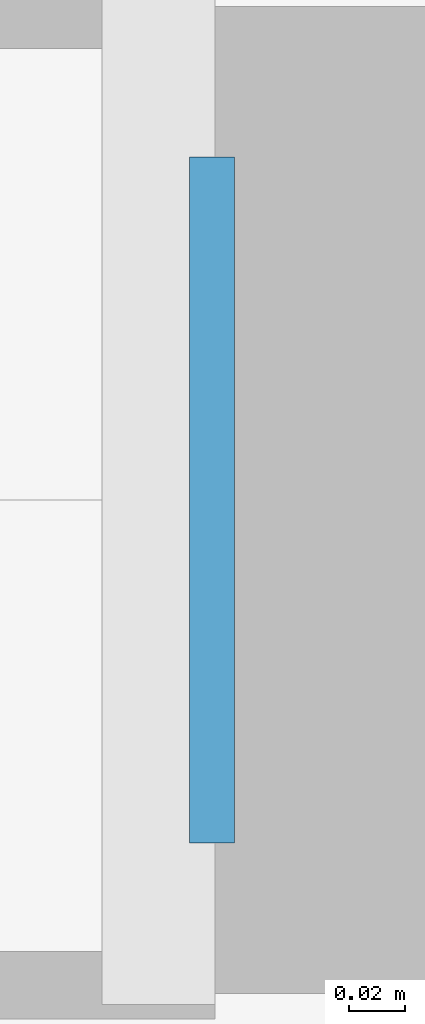
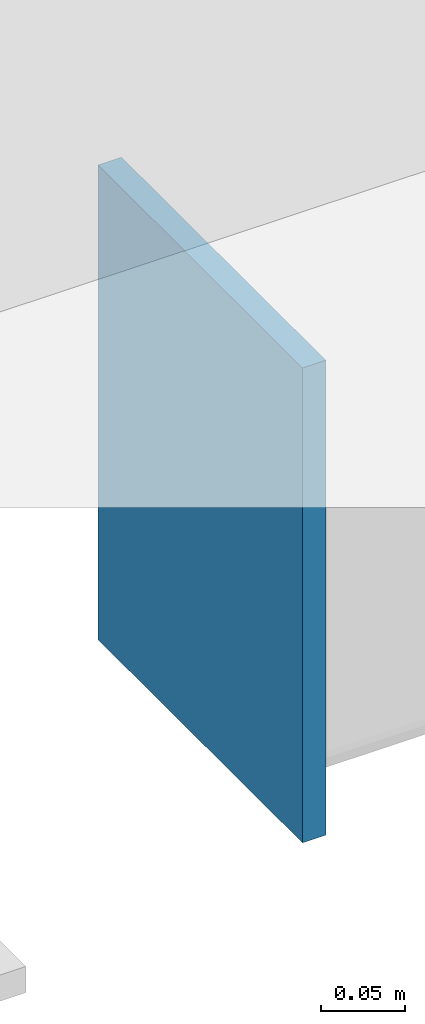
# One storey, part 164 of 229: 1 plate.
"""IFC4 building model written with IfcOpenShell, lengths in metres."""

from ifc_helpers import new_model, si_unit, direction, frame, origin, origin_2d, place, context, subcontext, project, spatial, rectangle, extrude, material, layer, layer_set, type_object, element, save


model = new_model("IFC4")

# Units and contexts
model_context = context("Model", 3, precision=1e-05, world=origin(), true_north=direction((0.0, 1.0)))
body_context = subcontext(model_context, "Body", "Model", "MODEL_VIEW")
ifc_project = project(units=[si_unit("LENGTHUNIT", "METRE"), si_unit("AREAUNIT", "SQUARE_METRE"), si_unit("VOLUMEUNIT", "CUBIC_METRE"), si_unit("PLANEANGLEUNIT", "RADIAN"), si_unit("MASSUNIT", "GRAM", prefix="KILO")], contexts=[model_context])

# Site, building, storey
site_placement = place(None, origin())
site = spatial("IfcSite", under=ifc_project, at=site_placement, CompositionType="ELEMENT")
building_placement = place(site_placement, origin())
building = spatial("IfcBuilding", under=site, at=building_placement, Name="Calvrana Isthmian Art Gallery", CompositionType="ELEMENT")
storey_placement = place(building_placement, origin())
storey = spatial("IfcBuildingStorey", under=building, at=storey_placement, Name="L00", CompositionType="ELEMENT", Elevation=0.0)

# Plate
ifc_material = material(Name="Steel ASTM A572 Gr 50", Category="steel")
ifc_layer = layer(ifc_material, 0.01611328125, Name="Steel ASTM A572 Gr 50")
ifc_layer_set = layer_set([ifc_layer], Name="Steel ASTM A572 Gr 50")
plate_type = type_object("IfcPlateType", Name="PL-CAP-16", PredefinedType="SHEET", material=ifc_layer_set)
plate_placement = place(storey_placement, frame((88.58544921875, 0.0, -0.60986328125), z_axis=(0.0, 0.0, 1.0), x_axis=(1.0, 0.0, 0.0)))
element("IfcPlate", 1, at=plate_placement, inside=storey, type_object=plate_type, Name="Hollow section end cap plate 371", PredefinedType="SHEET", context=body_context, shape_type="SweptSolid", body=[
    extrude(rectangle(XDim=0.01611328125, YDim=0.2431640625, at=origin_2d()), origin(), (0.0, 0.0, 1.0), 0.3447265625),
])

save(model, "model.ifc")
